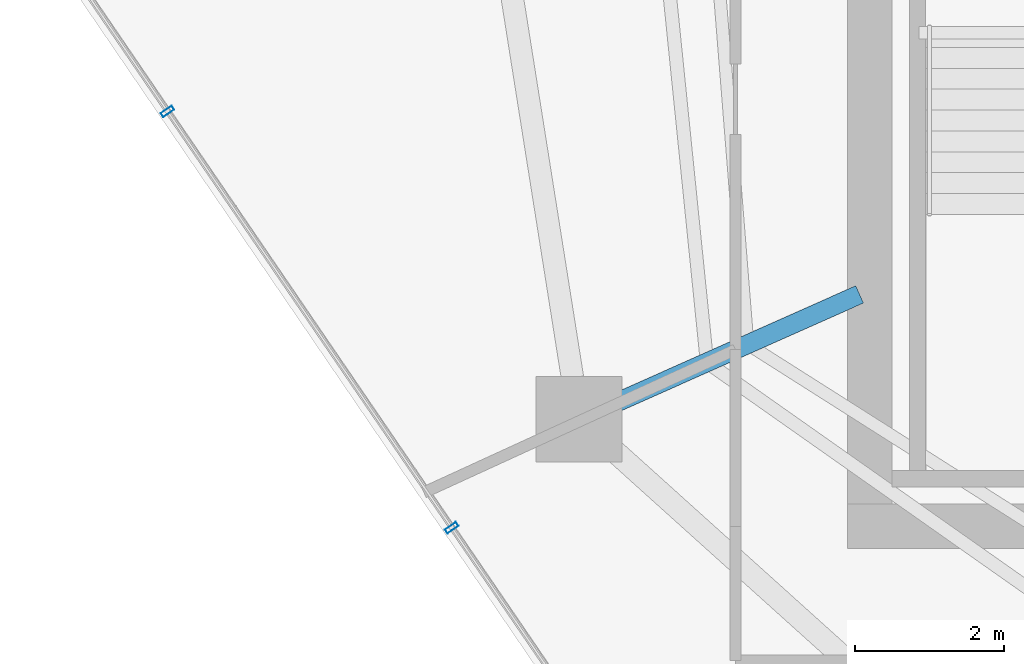
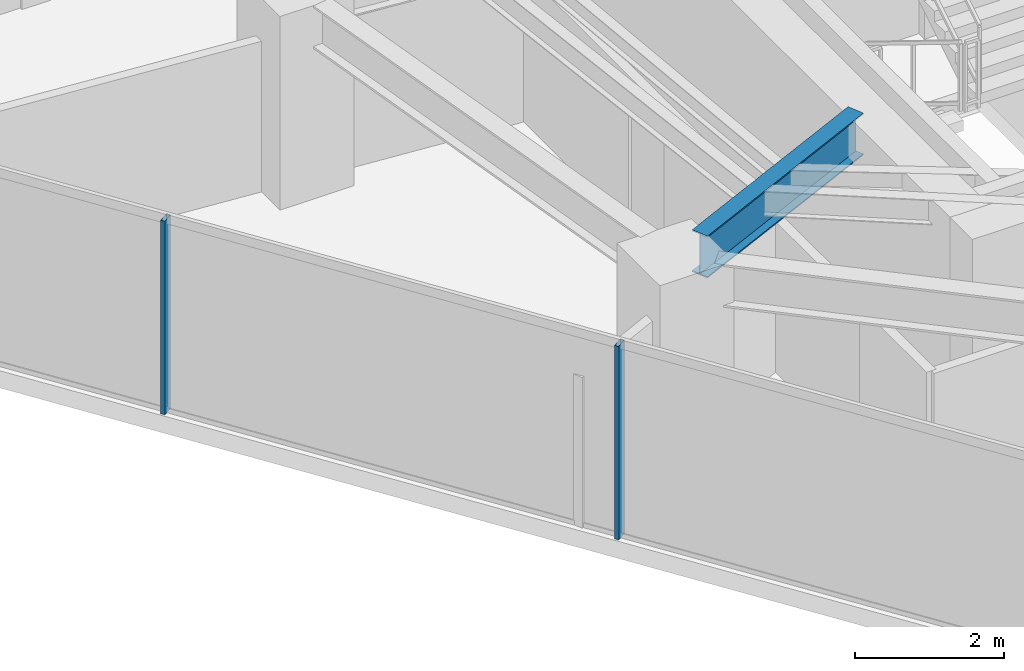
# One storey, part 6 of 30: 2 members, 1 beam, 1 element without a shape of its own.
"""IFC4 building model written with IfcOpenShell, lengths in metres."""

from ifc_helpers import new_model, si_unit, direction, frame, origin, origin_2d, place, context, subcontext, project, spatial, hollow_rectangle, i_section, extrude, material, layer, layer_set, material_profile, profile_set, type_object, element, aggregate, save


model = new_model("IFC4")

# Units and contexts
model_context = context("Model", 3, precision=1e-05, world=origin(), true_north=direction((0.0, 1.0)))
body_context = subcontext(model_context, "Body", "Model", "MODEL_VIEW")
ifc_project = project(units=[si_unit("LENGTHUNIT", "METRE"), si_unit("AREAUNIT", "SQUARE_METRE"), si_unit("VOLUMEUNIT", "CUBIC_METRE"), si_unit("PLANEANGLEUNIT", "RADIAN"), si_unit("MASSUNIT", "GRAM", prefix="KILO")], contexts=[model_context])

# Site, building, storey
site_placement = place(None, origin())
site = spatial("IfcSite", under=ifc_project, at=site_placement, CompositionType="ELEMENT")
building_placement = place(site_placement, origin())
building = spatial("IfcBuilding", under=site, at=building_placement, Name="Qarnah Convention Tower", CompositionType="ELEMENT")
storey_placement = place(building_placement, frame((0.0, 0.0, 83.25)))
storey = spatial("IfcBuildingStorey", under=building, at=storey_placement, Name="L21", CompositionType="ELEMENT", Elevation=83.25)

# Beam
ifc_material_1 = material(Name="Structural steel S355JR", Category="steel")
ifc_material_profile_1 = material_profile(ifc_material_1, i_section(OverallWidth=0.25390625, OverallDepth=0.68798828125, WebThickness=0.012939453125, FlangeThickness=0.02099609375, at=origin_2d()), Name="W690X152")
ifc_profile_set_1 = profile_set([ifc_material_profile_1], Name="Structural steel S355JR")
beam_type = type_object("IfcBeamType", Name="BM-RAD-W690", PredefinedType="BEAM", material=ifc_profile_set_1)
beam_placement = place(storey_placement, frame((26.6630859375, 21.708984375, 2.825927734375), z_axis=(-0.913588053958, -0.4066409567, 0.0), x_axis=(0.4066409567, -0.913588053958, 0.0)))
element("IfcBeam", 1, at=beam_placement, inside=storey, type_object=beam_type, Name="L21 beam BM-L21-RAD-06", PredefinedType="BEAM", context=body_context, shape_type="SweptSolid", body=[
    extrude(i_section(OverallWidth=0.25390625, OverallDepth=0.68798828125, WebThickness=0.012939453125, FlangeThickness=0.02099609375, at=origin_2d()), origin(), (0.0, 0.0, 1.0), 3.560791015625),
])

# Curtain wall, members
ifc_material_2 = material(Name="Tempered Low-E dark glass", Category="glass")
ifc_layer = layer(ifc_material_2, 0.169921875)
ifc_layer_set = layer_set([ifc_layer], Name="Tempered Low-E dark glass")
curtain_wall_type = type_object("IfcCurtainWallType", Name="CWS-02", PredefinedType="NOTDEFINED", material=ifc_layer_set)
curtain_wall_placement = place(storey_placement, origin())
curtain_wall = element("IfcCurtainWall", 2, at=curtain_wall_placement, inside=storey, type_object=curtain_wall_type, Name="L21 unitised curtain wall CW-L21-F3", PredefinedType="NOTDEFINED")
ifc_material_3 = material(Name="Black anodised aluminium", Category="aluminium")
ifc_material_profile_2 = material_profile(ifc_material_3, hollow_rectangle(XDim=0.06494140625, YDim=0.179931640625, WallThickness=0.00390625, at=origin_2d()), Name="MUL-65X180")
ifc_profile_set_2 = profile_set([ifc_material_profile_2], Name="Black anodised aluminium")
member_type = type_object("IfcMemberType", Name="MUL-T2", PredefinedType="MULLION", material=ifc_profile_set_2)
member_1_placement = place(storey_placement, frame((21.196533203125, 18.581298828125, 0.0), z_axis=(0.0, 0.0, 1.0), x_axis=(-0.563812474561, 0.825902835404, 0.0)))
member_1 = element("IfcMember", 3, at=member_1_placement, type_object=member_type, Name="CW-L21-F3 mullion 4", PredefinedType="MULLION", context=body_context, shape_type="SweptSolid", body=[
    extrude(hollow_rectangle(XDim=0.06494140625, YDim=0.179931640625, WallThickness=0.00390625, at=origin_2d()), origin(), (0.0, 0.0, 1.0), 3.169921875),
])
member_2_placement = place(storey_placement, frame((17.38671875, 24.162109375, 0.0), z_axis=(0.0, 0.0, 1.0), x_axis=(-0.563812474561, 0.825902835404, 0.0)))
member_2 = element("IfcMember", 4, at=member_2_placement, type_object=member_type, Name="CW-L21-F3 mullion 5", PredefinedType="MULLION", context=body_context, shape_type="SweptSolid", body=[
    extrude(hollow_rectangle(XDim=0.06494140625, YDim=0.179931640625, WallThickness=0.00390625, at=origin_2d()), origin(), (0.0, 0.0, 1.0), 3.169921875),
])
aggregate(curtain_wall, [member_1, member_2])

save(model, "model.ifc")
